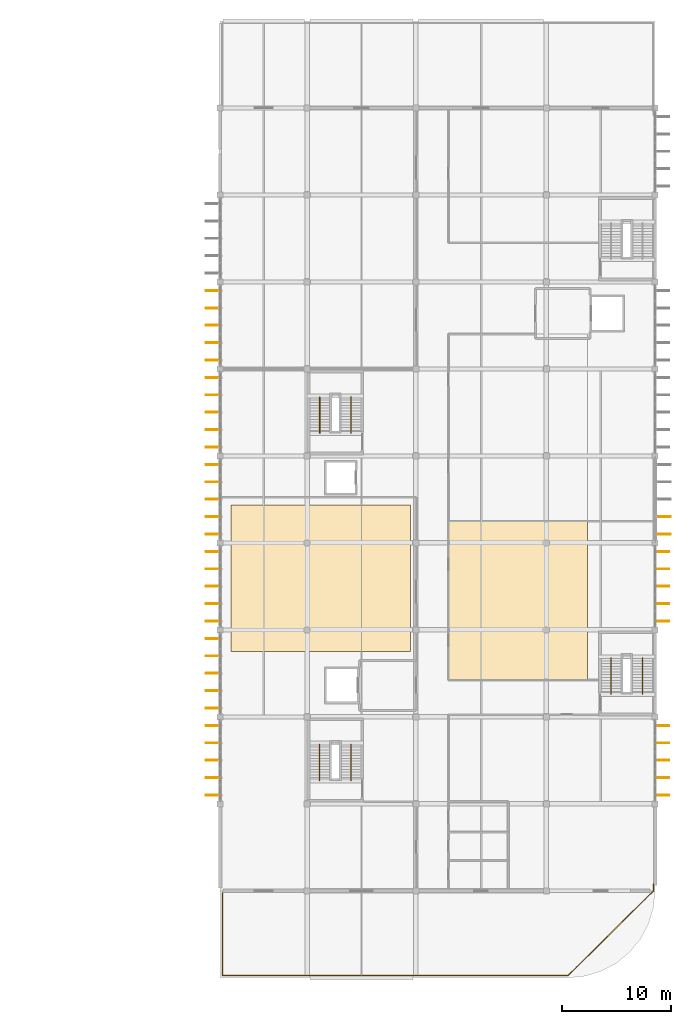
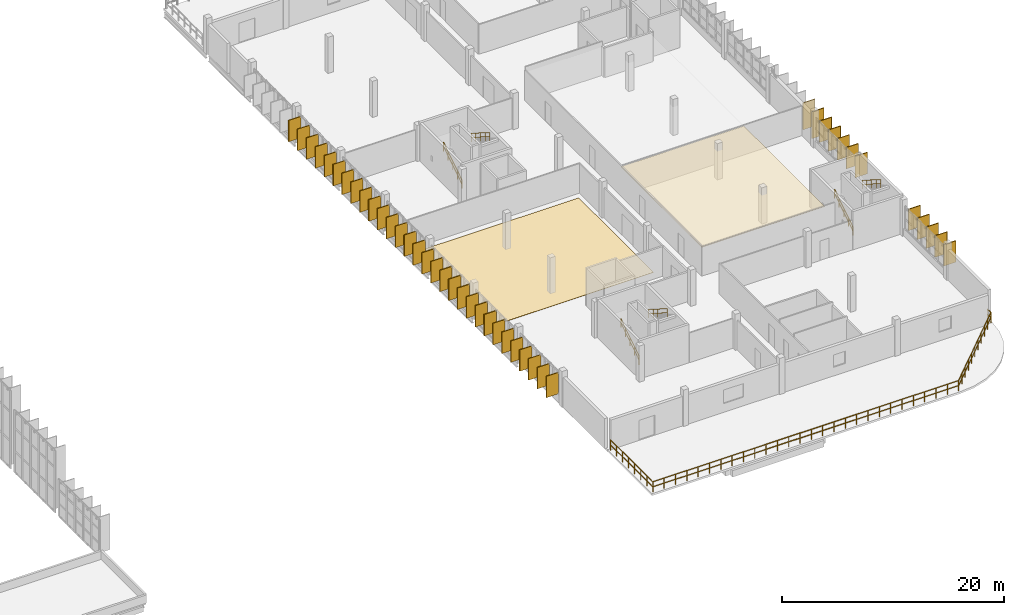
# One storey, part 37 of 38: 43 coverings, 42 shading devices, 10 railings.
"""IFC4 building model written with IfcOpenShell, lengths in metres."""

from ifc_helpers import new_model, si_unit, direction, frame, origin, origin_2d, place, context, subcontext, project, spatial, polyline, rectangle, circle, outline, extrude, material, layer, layer_set, type_object, element, save


model = new_model("IFC4")

# Units and contexts
model_context = context("Model", 3, precision=1e-05, world=origin(), true_north=direction((0.0, 1.0)))
body_context = subcontext(model_context, "Body", "Model", "MODEL_VIEW")
ifc_project = project(units=[si_unit("LENGTHUNIT", "METRE"), si_unit("AREAUNIT", "SQUARE_METRE"), si_unit("VOLUMEUNIT", "CUBIC_METRE"), si_unit("PLANEANGLEUNIT", "RADIAN"), si_unit("MASSUNIT", "GRAM", prefix="KILO")], contexts=[model_context])

# Site, building, storey
site_placement = place(None, origin())
site = spatial("IfcSite", under=ifc_project, at=site_placement, CompositionType="ELEMENT")
building_placement = place(site_placement, origin())
building = spatial("IfcBuilding", under=site, at=building_placement, Name="Drelvana Railside Aquatics Centre", CompositionType="ELEMENT")
storey_placement = place(building_placement, frame((0.0, 0.0, 14.39990234375)))
storey = spatial("IfcBuildingStorey", under=building, at=storey_placement, Name="L03", CompositionType="ELEMENT", Elevation=14.39990234375)

# Coverings
ifc_material_1 = material(Name="Moisture-resistant perforated acoustic timber ceiling", Category="wood")
ifc_layer_1 = layer(ifc_material_1, 0.034912109375, Name="Moisture-resistant perforated acoustic timber ceiling")
ifc_layer_set_1 = layer_set([ifc_layer_1], Name="Moisture-resistant perforated acoustic timber ceiling")
covering_type_1 = type_object("IfcCoveringType", Name="COV-CEIL-ACOUSTIC", PredefinedType="CEILING", material=ifc_layer_set_1)
covering_1_placement = place(storey_placement, frame((0.0, 0.0, 3.10009765625)))
element("IfcCovering", 1, at=covering_1_placement, inside=storey, type_object=covering_type_1, Name="Seminar Room 1 acoustic baffle ceiling", PredefinedType="CEILING", context=body_context, shape_type="SweptSolid", body=[
    extrude(outline(polyline([(165.0, 35.39990234375), (177.800048828125, 35.39990234375), (177.800048828125, 50.0), (165.0, 50.0), (165.0, 35.39990234375)])), origin(), (0.0, 0.0, 1.0), 0.034912109375),
])
ifc_material_2 = material(Name="Bronze-anodised extruded aluminium 6063-T6", Category="aluminium")
covering_type_2 = type_object("IfcCoveringType", Name="COV-FIN-ALU", PredefinedType="CLADDING", material=ifc_material_2)
for number, where, z_axis, x_axis, name in (
    (2, (143.330078125, 24.800048828125, 0.85009765625), (0.0, 0.0, 1.0), (0.0, 1.0, 0.0), "Vertical aluminium fin cladding CF-0556"),
    (3, (143.330078125, 26.39990234375, 0.85009765625), (0.0, 0.0, 1.0), (0.0, 1.0, 0.0), "Vertical aluminium fin cladding CF-0557"),
    (4, (143.330078125, 28.0, 0.85009765625), (0.0, 0.0, 1.0), (0.0, 1.0, 0.0), "Vertical aluminium fin cladding CF-0558"),
    (5, (143.330078125, 29.60009765625, 0.85009765625), (0.0, 0.0, 1.0), (0.0, 1.0, 0.0), "Vertical aluminium fin cladding CF-0559"),
    (6, (143.330078125, 31.199951171875, 0.85009765625), (0.0, 0.0, 1.0), (0.0, 1.0, 0.0), "Vertical aluminium fin cladding CF-0560"),
    (7, (143.330078125, 32.800048828125, 0.85009765625), (0.0, 0.0, 1.0), (0.0, 1.0, 0.0), "Vertical aluminium fin cladding CF-0576"),
    (8, (143.330078125, 34.39990234375, 0.85009765625), (0.0, 0.0, 1.0), (0.0, 1.0, 0.0), "Vertical aluminium fin cladding CF-0577"),
    (9, (143.330078125, 36.0, 0.85009765625), (0.0, 0.0, 1.0), (0.0, 1.0, 0.0), "Vertical aluminium fin cladding CF-0578"),
    (10, (143.330078125, 37.60009765625, 0.85009765625), (0.0, 0.0, 1.0), (0.0, 1.0, 0.0), "Vertical aluminium fin cladding CF-0579"),
    (11, (143.330078125, 39.199951171875, 0.85009765625), (0.0, 0.0, 1.0), (0.0, 1.0, 0.0), "Vertical aluminium fin cladding CF-0580"),
    (12, (143.330078125, 40.800048828125, 0.85009765625), (0.0, 0.0, 1.0), (0.0, 1.0, 0.0), "Vertical aluminium fin cladding CF-0596"),
    (13, (143.330078125, 42.39990234375, 0.85009765625), (0.0, 0.0, 1.0), (0.0, 1.0, 0.0), "Vertical aluminium fin cladding CF-0597"),
    (14, (143.330078125, 44.0, 0.85009765625), (0.0, 0.0, 1.0), (0.0, 1.0, 0.0), "Vertical aluminium fin cladding CF-0598"),
    (15, (143.330078125, 45.60009765625, 0.85009765625), (0.0, 0.0, 1.0), (0.0, 1.0, 0.0), "Vertical aluminium fin cladding CF-0599"),
    (16, (143.330078125, 47.199951171875, 0.85009765625), (0.0, 0.0, 1.0), (0.0, 1.0, 0.0), "Vertical aluminium fin cladding CF-0600"),
    (17, (143.330078125, 48.800048828125, 0.85009765625), (0.0, 0.0, 1.0), (0.0, 1.0, 0.0), "Vertical aluminium fin cladding CF-0616"),
    (18, (143.330078125, 50.39990234375, 0.85009765625), (0.0, 0.0, 1.0), (0.0, 1.0, 0.0), "Vertical aluminium fin cladding CF-0617"),
    (19, (143.330078125, 52.0, 0.85009765625), (0.0, 0.0, 1.0), (0.0, 1.0, 0.0), "Vertical aluminium fin cladding CF-0618"),
    (20, (143.330078125, 53.60009765625, 0.85009765625), (0.0, 0.0, 1.0), (0.0, 1.0, 0.0), "Vertical aluminium fin cladding CF-0619"),
    (21, (143.330078125, 55.199951171875, 0.85009765625), (0.0, 0.0, 1.0), (0.0, 1.0, 0.0), "Vertical aluminium fin cladding CF-0620"),
    (22, (143.330078125, 56.800048828125, 0.85009765625), (0.0, 0.0, 1.0), (0.0, 1.0, 0.0), "Vertical aluminium fin cladding CF-0631"),
    (23, (143.330078125, 58.39990234375, 0.85009765625), (0.0, 0.0, 1.0), (0.0, 1.0, 0.0), "Vertical aluminium fin cladding CF-0632"),
    (24, (143.330078125, 60.0, 0.85009765625), (0.0, 0.0, 1.0), (0.0, 1.0, 0.0), "Vertical aluminium fin cladding CF-0633"),
    (25, (143.330078125, 61.60009765625, 0.85009765625), (0.0, 0.0, 1.0), (0.0, 1.0, 0.0), "Vertical aluminium fin cladding CF-0634"),
    (26, (143.330078125, 63.199951171875, 0.85009765625), (0.0, 0.0, 1.0), (0.0, 1.0, 0.0), "Vertical aluminium fin cladding CF-0635"),
    (27, (143.330078125, 64.800048828125, 0.85009765625), (0.0, 0.0, 1.0), (0.0, 1.0, 0.0), "Vertical aluminium fin cladding CF-0651"),
    (28, (143.330078125, 66.39990234375, 0.85009765625), (0.0, 0.0, 1.0), (0.0, 1.0, 0.0), "Vertical aluminium fin cladding CF-0652"),
    (29, (143.330078125, 68.0, 0.85009765625), (0.0, 0.0, 1.0), (0.0, 1.0, 0.0), "Vertical aluminium fin cladding CF-0653"),
    (30, (143.330078125, 69.60009765625, 0.85009765625), (0.0, 0.0, 1.0), (0.0, 1.0, 0.0), "Vertical aluminium fin cladding CF-0654"),
    (31, (143.330078125, 71.199951171875, 0.85009765625), (0.0, 0.0, 1.0), (0.0, 1.0, 0.0), "Vertical aluminium fin cladding CF-0655"),
    (32, (184.669921875, 24.800048828125, 0.85009765625), (0.0, 0.0, 1.0), (0.0, -1.0, 0.0), "Vertical aluminium fin cladding CF-0691"),
    (33, (184.669921875, 26.39990234375, 0.85009765625), (0.0, 0.0, 1.0), (0.0, -1.0, 0.0), "Vertical aluminium fin cladding CF-0692"),
    (34, (184.669921875, 28.0, 0.85009765625), (0.0, 0.0, 1.0), (0.0, -1.0, 0.0), "Vertical aluminium fin cladding CF-0693"),
    (35, (184.669921875, 29.60009765625, 0.85009765625), (0.0, 0.0, 1.0), (0.0, -1.0, 0.0), "Vertical aluminium fin cladding CF-0694"),
    (36, (184.669921875, 31.199951171875, 0.85009765625), (0.0, 0.0, 1.0), (0.0, -1.0, 0.0), "Vertical aluminium fin cladding CF-0695"),
    (37, (184.669921875, 40.800048828125, 0.85009765625), (0.0, 0.0, 1.0), (0.0, -1.0, 0.0), "Vertical aluminium fin cladding CF-0716"),
    (38, (184.669921875, 42.39990234375, 0.85009765625), (0.0, 0.0, 1.0), (0.0, -1.0, 0.0), "Vertical aluminium fin cladding CF-0717"),
    (39, (184.669921875, 44.0, 0.85009765625), (0.0, 0.0, 1.0), (0.0, -1.0, 0.0), "Vertical aluminium fin cladding CF-0718"),
    (40, (184.669921875, 45.60009765625, 0.85009765625), (0.0, 0.0, 1.0), (0.0, -1.0, 0.0), "Vertical aluminium fin cladding CF-0719"),
    (41, (184.669921875, 47.199951171875, 0.85009765625), (0.0, 0.0, 1.0), (0.0, -1.0, 0.0), "Vertical aluminium fin cladding CF-0720"),
):
    element("IfcCovering", number, at=place(storey_placement, frame(where, z_axis=z_axis, x_axis=x_axis)), inside=storey, type_object=covering_type_2, Name=name, PredefinedType="CLADDING", context=body_context, shape_type="SweptSolid", body=[
        extrude(rectangle(XDim=0.0849609375, YDim=1.25, at=origin_2d()), origin(), (0.0, 0.0, 1.0), 2.35009765625),
    ])
covering_2_placement = place(storey_placement, frame((184.77490234375, 48.800048828125, 0.25), z_axis=(0.0, 0.0, 1.0), x_axis=(0.0, -1.0, 0.0)))
element("IfcCovering", 42, at=covering_2_placement, inside=storey, type_object=covering_type_2, Name="Vertical aluminium fin cladding CF-0741", PredefinedType="CLADDING", context=body_context, shape_type="SweptSolid", body=[
    extrude(rectangle(XDim=0.0849609375, YDim=1.25, at=origin_2d()), origin(), (0.0, 0.0, 1.0), 2.949951171875),
])
ifc_material_3 = material(Name="Slip-resistant vitrified ceramic pool deck tile", Category="masonry")
ifc_layer_2 = layer(ifc_material_3, 0.02490234375, Name="Slip-resistant vitrified ceramic pool deck tile")
ifc_layer_set_2 = layer_set([ifc_layer_2], Name="Slip-resistant vitrified ceramic pool deck tile")
covering_type_3 = type_object("IfcCoveringType", Name="COV-FLOR-ANTISLIP", PredefinedType="FLOORING", material=ifc_layer_set_2)
covering_3_placement = place(storey_placement, origin())
element("IfcCovering", 43, at=covering_3_placement, inside=storey, type_object=covering_type_3, Name="Sports Nutrition Dining porcelain flooring", PredefinedType="FLOORING", context=body_context, shape_type="SweptSolid", body=[
    extrude(outline(polyline([(145.0, 38.0), (161.5, 38.0), (161.5, 51.5), (145.0, 51.5), (145.0, 38.0)])), origin(), (0.0, 0.0, 1.0), 0.025146484375),
])

# Railings
ifc_material_4 = material(Name="Bronze-anodised stainless steel balustrade", Category="steel")
railing_type_1 = type_object("IfcRailingType", Name="RAL-GUARD-TER-1100", PredefinedType="GUARDRAIL", material=ifc_material_4)
railing_1_placement = place(storey_placement, frame((144.199951171875, 8.199951171875, 0.0)))
element("IfcRailing", 44, at=railing_1_placement, inside=storey, type_object=railing_type_1, Name="L03 terrace perimeter guard rail 4", PredefinedType="GUARDRAIL", context=body_context, shape_type="SweptSolid", body=[
    extrude(circle(Radius=0.02392578125, at=origin_2d()), frame((0.0, 0.0, 1.1259765625), z_axis=(1.0, 0.0, 0.0), x_axis=(0.0, 1.0, 0.0)), (0.0, 0.0, 1.0), 31.800048828125),
    extrude(circle(Radius=0.02392578125, at=origin_2d()), frame((0.0, 0.0, 0.574951171875), z_axis=(1.0, 0.0, 0.0), x_axis=(0.0, 1.0, 0.0)), (0.0, 0.0, 1.0), 31.800048828125),
    extrude(circle(Radius=0.02099609375, at=origin_2d()), origin(), (0.0, 0.0, 1.0), 1.101806640625),
    extrude(circle(Radius=0.02099609375, at=origin_2d()), frame((1.177734375, 0.0, 0.0)), (0.0, 0.0, 1.0), 1.101806640625),
    extrude(circle(Radius=0.02099609375, at=origin_2d()), frame((2.35546875, 0.0, 0.0)), (0.0, 0.0, 1.0), 1.101806640625),
    extrude(circle(Radius=0.02099609375, at=origin_2d()), frame((3.533447265625, 0.0, 0.0)), (0.0, 0.0, 1.0), 1.101806640625),
    extrude(circle(Radius=0.02099609375, at=origin_2d()), frame((4.711181640625, 0.0, 0.0)), (0.0, 0.0, 1.0), 1.101806640625),
    extrude(circle(Radius=0.02099609375, at=origin_2d()), frame((5.888916015625, 0.0, 0.0)), (0.0, 0.0, 1.0), 1.101806640625),
    extrude(circle(Radius=0.02099609375, at=origin_2d()), frame((7.066650390625, 0.0, 0.0)), (0.0, 0.0, 1.0), 1.101806640625),
    extrude(circle(Radius=0.02099609375, at=origin_2d()), frame((8.244384765625, 0.0, 0.0)), (0.0, 0.0, 1.0), 1.101806640625),
    extrude(circle(Radius=0.02099609375, at=origin_2d()), frame((9.422119140625, 0.0, 0.0)), (0.0, 0.0, 1.0), 1.101806640625),
    extrude(circle(Radius=0.02099609375, at=origin_2d()), frame((10.60009765625, 0.0, 0.0)), (0.0, 0.0, 1.0), 1.101806640625),
    extrude(circle(Radius=0.02099609375, at=origin_2d()), frame((11.77783203125, 0.0, 0.0)), (0.0, 0.0, 1.0), 1.101806640625),
    extrude(circle(Radius=0.02099609375, at=origin_2d()), frame((12.95556640625, 0.0, 0.0)), (0.0, 0.0, 1.0), 1.101806640625),
    extrude(circle(Radius=0.02099609375, at=origin_2d()), frame((14.13330078125, 0.0, 0.0)), (0.0, 0.0, 1.0), 1.101806640625),
    extrude(circle(Radius=0.02099609375, at=origin_2d()), frame((15.31103515625, 0.0, 0.0)), (0.0, 0.0, 1.0), 1.101806640625),
    extrude(circle(Radius=0.02099609375, at=origin_2d()), frame((16.489013671875, 0.0, 0.0)), (0.0, 0.0, 1.0), 1.101806640625),
    extrude(circle(Radius=0.02099609375, at=origin_2d()), frame((17.666748046875, 0.0, 0.0)), (0.0, 0.0, 1.0), 1.101806640625),
    extrude(circle(Radius=0.02099609375, at=origin_2d()), frame((18.844482421875, 0.0, 0.0)), (0.0, 0.0, 1.0), 1.101806640625),
    extrude(circle(Radius=0.02099609375, at=origin_2d()), frame((20.022216796875, 0.0, 0.0)), (0.0, 0.0, 1.0), 1.101806640625),
    extrude(circle(Radius=0.02099609375, at=origin_2d()), frame((21.199951171875, 0.0, 0.0)), (0.0, 0.0, 1.0), 1.101806640625),
    extrude(circle(Radius=0.02099609375, at=origin_2d()), frame((22.3779296875, 0.0, 0.0)), (0.0, 0.0, 1.0), 1.101806640625),
    extrude(circle(Radius=0.02099609375, at=origin_2d()), frame((23.5556640625, 0.0, 0.0)), (0.0, 0.0, 1.0), 1.101806640625),
    extrude(circle(Radius=0.02099609375, at=origin_2d()), frame((24.7333984375, 0.0, 0.0)), (0.0, 0.0, 1.0), 1.101806640625),
    extrude(circle(Radius=0.02099609375, at=origin_2d()), frame((25.9111328125, 0.0, 0.0)), (0.0, 0.0, 1.0), 1.101806640625),
    extrude(circle(Radius=0.02099609375, at=origin_2d()), frame((27.0888671875, 0.0, 0.0)), (0.0, 0.0, 1.0), 1.101806640625),
    extrude(circle(Radius=0.02099609375, at=origin_2d()), frame((28.2666015625, 0.0, 0.0)), (0.0, 0.0, 1.0), 1.101806640625),
    extrude(circle(Radius=0.02099609375, at=origin_2d()), frame((29.444580078125, 0.0, 0.0)), (0.0, 0.0, 1.0), 1.101806640625),
    extrude(circle(Radius=0.02099609375, at=origin_2d()), frame((30.622314453125, 0.0, 0.0)), (0.0, 0.0, 1.0), 1.101806640625),
    extrude(circle(Radius=0.02099609375, at=origin_2d()), frame((31.800048828125, 0.0, 0.0)), (0.0, 0.0, 1.0), 1.101806640625),
])
railing_2_placement = place(storey_placement, frame((144.199951171875, 8.199951171875, 0.0)))
element("IfcRailing", 45, at=railing_2_placement, inside=storey, type_object=railing_type_1, Name="L03 terrace perimeter guard rail 5", PredefinedType="GUARDRAIL", context=body_context, shape_type="SweptSolid", body=[
    extrude(circle(Radius=0.02392578125, at=origin_2d()), frame((0.0, 0.0, 1.1259765625), z_axis=(0.0, 1.0, 0.0), x_axis=(-1.0, 0.0, 0.0)), (0.0, 0.0, 1.0), 7.60009765625),
    extrude(circle(Radius=0.02392578125, at=origin_2d()), frame((0.0, 0.0, 0.574951171875), z_axis=(0.0, 1.0, 0.0), x_axis=(-1.0, 0.0, 0.0)), (0.0, 0.0, 1.0), 7.60009765625),
    extrude(circle(Radius=0.02099609375, at=origin_2d()), origin(), (0.0, 0.0, 1.0), 1.101806640625),
    extrude(circle(Radius=0.02099609375, at=origin_2d()), frame((0.0, 1.085693359375, 0.0)), (0.0, 0.0, 1.0), 1.101806640625),
    extrude(circle(Radius=0.02099609375, at=origin_2d()), frame((0.0, 2.17138671875, 0.0)), (0.0, 0.0, 1.0), 1.101806640625),
    extrude(circle(Radius=0.02099609375, at=origin_2d()), frame((0.0, 3.257080078125, 0.0)), (0.0, 0.0, 1.0), 1.101806640625),
    extrude(circle(Radius=0.02099609375, at=origin_2d()), frame((0.0, 4.343017578125, 0.0)), (0.0, 0.0, 1.0), 1.101806640625),
    extrude(circle(Radius=0.02099609375, at=origin_2d()), frame((0.0, 5.4287109375, 0.0)), (0.0, 0.0, 1.0), 1.101806640625),
    extrude(circle(Radius=0.02099609375, at=origin_2d()), frame((0.0, 6.514404296875, 0.0)), (0.0, 0.0, 1.0), 1.101806640625),
    extrude(circle(Radius=0.02099609375, at=origin_2d()), frame((0.0, 7.60009765625, 0.0)), (0.0, 0.0, 1.0), 1.101806640625),
])
railing_3_placement = place(storey_placement, frame((176.0, 8.199951171875, 0.0)))
element("IfcRailing", 46, at=railing_3_placement, inside=storey, type_object=railing_type_1, Name="L03 terrace perimeter guard rail 6", PredefinedType="GUARDRAIL", context=body_context, shape_type="SweptSolid", body=[
    extrude(circle(Radius=0.02392578125, at=origin_2d()), frame((0.0, 0.0, 1.1259765625), z_axis=(0.709364465947, 0.704841864855, 0.0), x_axis=(-0.704841864855, 0.709364465947, 0.0)), (0.0, 0.0, 1.0), 11.06640625),
    extrude(circle(Radius=0.02392578125, at=origin_2d()), frame((0.0, 0.0, 0.574951171875), z_axis=(0.709364465947, 0.704841864855, 0.0), x_axis=(-0.704841864855, 0.709364465947, 0.0)), (0.0, 0.0, 1.0), 11.06640625),
    extrude(circle(Radius=0.02099609375, at=origin_2d()), origin(), (0.0, 0.0, 1.0), 1.101806640625),
    extrude(circle(Radius=0.02099609375, at=origin_2d()), frame((0.784912109375, 0.780029296875, 0.0)), (0.0, 0.0, 1.0), 1.101806640625),
    extrude(circle(Radius=0.02099609375, at=origin_2d()), frame((1.570068359375, 1.56005859375, 0.0)), (0.0, 0.0, 1.0), 1.101806640625),
    extrude(circle(Radius=0.02099609375, at=origin_2d()), frame((2.35498046875, 2.340087890625, 0.0)), (0.0, 0.0, 1.0), 1.101806640625),
    extrude(circle(Radius=0.02099609375, at=origin_2d()), frame((3.14013671875, 3.1201171875, 0.0)), (0.0, 0.0, 1.0), 1.101806640625),
    extrude(circle(Radius=0.02099609375, at=origin_2d()), frame((3.925048828125, 3.89990234375, 0.0)), (0.0, 0.0, 1.0), 1.101806640625),
    extrude(circle(Radius=0.02099609375, at=origin_2d()), frame((4.7099609375, 4.679931640625, 0.0)), (0.0, 0.0, 1.0), 1.101806640625),
    extrude(circle(Radius=0.02099609375, at=origin_2d()), frame((5.4951171875, 5.4599609375, 0.0)), (0.0, 0.0, 1.0), 1.101806640625),
    extrude(circle(Radius=0.02099609375, at=origin_2d()), frame((6.280029296875, 6.239990234375, 0.0)), (0.0, 0.0, 1.0), 1.101806640625),
    extrude(circle(Radius=0.02099609375, at=origin_2d()), frame((7.065185546875, 7.02001953125, 0.0)), (0.0, 0.0, 1.0), 1.101806640625),
    extrude(circle(Radius=0.02099609375, at=origin_2d()), frame((7.85009765625, 7.800048828125, 0.0)), (0.0, 0.0, 1.0), 1.101806640625),
])
railing_4_placement = place(storey_placement, frame((183.85009765625, 16.0, 0.0)))
element("IfcRailing", 47, at=railing_4_placement, inside=storey, type_object=railing_type_1, Name="L03 terrace perimeter guard rail 7", PredefinedType="GUARDRAIL", context=body_context, shape_type="SweptSolid", body=[
    extrude(circle(Radius=0.02392578125, at=origin_2d()), frame((0.0, 0.0, 1.1259765625), z_axis=(0.0, 1.0, 0.0), x_axis=(-1.0, 0.0, 0.0)), (0.0, 0.0, 1.0), 0.64990234375),
    extrude(circle(Radius=0.02392578125, at=origin_2d()), frame((0.0, 0.0, 0.574951171875), z_axis=(0.0, 1.0, 0.0), x_axis=(-1.0, 0.0, 0.0)), (0.0, 0.0, 1.0), 0.64990234375),
    extrude(circle(Radius=0.02099609375, at=origin_2d()), origin(), (0.0, 0.0, 1.0), 1.101806640625),
    extrude(circle(Radius=0.02099609375, at=origin_2d()), frame((0.0, 0.64990234375, 0.0)), (0.0, 0.0, 1.0), 1.101806640625),
])
ifc_material_5 = material(Name="Brushed stainless steel stair pitch handrail", Category="steel")
railing_type_2 = type_object("IfcRailingType", Name="RAL-HANDRAIL-950", PredefinedType="HANDRAIL", material=ifc_material_5)
railing_5_placement = place(storey_placement, frame((153.14990234375, 26.14990234375, 0.0)))
element("IfcRailing", 48, at=railing_5_placement, inside=storey, type_object=railing_type_2, Name="Stair ST-06 flight 1 handrail (L03)", PredefinedType="HANDRAIL", context=body_context, shape_type="SweptSolid", body=[
    extrude(circle(Radius=0.02392578125, at=origin_2d()), frame((0.0, 0.0, 0.92578125), z_axis=(0.0, 0.844763766854, 0.535139400727), x_axis=(-1.0, 0.0, 0.0)), (0.0, 0.0, 1.0), 3.92431640625),
    extrude(circle(Radius=0.02392578125, at=origin_2d()), frame((0.0, 0.0, 0.47509765625), z_axis=(0.0, 0.844763766854, 0.535139400727), x_axis=(-1.0, 0.0, 0.0)), (0.0, 0.0, 1.0), 3.92431640625),
    extrude(circle(Radius=0.02099609375, at=origin_2d()), origin(), (0.0, 0.0, 1.0), 0.90185546875),
    extrude(circle(Radius=0.02099609375, at=origin_2d()), frame((0.0, 0.828857421875, 0.52490234375)), (0.0, 0.0, 1.0), 0.90185546875),
    extrude(circle(Radius=0.02099609375, at=origin_2d()), frame((0.0, 1.65771484375, 1.050048828125)), (0.0, 0.0, 1.0), 0.90185546875),
    extrude(circle(Radius=0.02099609375, at=origin_2d()), frame((0.0, 2.486328125, 1.5751953125)), (0.0, 0.0, 1.0), 0.90185546875),
    extrude(circle(Radius=0.02099609375, at=origin_2d()), frame((0.0, 3.315185546875, 2.10009765625)), (0.0, 0.0, 1.0), 0.90185546875),
])
railing_6_placement = place(storey_placement, frame((156.050048828125, 29.465087890625, 2.10009765625)))
element("IfcRailing", 49, at=railing_6_placement, inside=storey, type_object=railing_type_2, Name="Stair ST-06 flight 2 handrail (L03)", PredefinedType="HANDRAIL", context=body_context, shape_type="SweptSolid", body=[
    extrude(circle(Radius=0.02392578125, at=origin_2d()), frame((0.0, 0.0, 0.92578125), z_axis=(0.0, -0.844763766854, 0.535139400727), x_axis=(1.0, 0.0, 0.0)), (0.0, 0.0, 1.0), 3.92431640625),
    extrude(circle(Radius=0.02392578125, at=origin_2d()), frame((0.0, 0.0, 0.47509765625), z_axis=(0.0, -0.844763766854, 0.535139400727), x_axis=(1.0, 0.0, 0.0)), (0.0, 0.0, 1.0), 3.92431640625),
    extrude(circle(Radius=0.02099609375, at=origin_2d()), origin(), (0.0, 0.0, 1.0), 0.90185546875),
    extrude(circle(Radius=0.02099609375, at=origin_2d()), frame((0.0, -0.828857421875, 0.52490234375)), (0.0, 0.0, 1.0), 0.90185546875),
    extrude(circle(Radius=0.02099609375, at=origin_2d()), frame((0.0, -1.65771484375, 1.050048828125)), (0.0, 0.0, 1.0), 0.90185546875),
    extrude(circle(Radius=0.02099609375, at=origin_2d()), frame((0.0, -2.486328125, 1.5751953125)), (0.0, 0.0, 1.0), 0.90185546875),
    extrude(circle(Radius=0.02099609375, at=origin_2d()), frame((0.0, -3.315185546875, 2.10009765625)), (0.0, 0.0, 1.0), 0.90185546875),
])
railing_7_placement = place(storey_placement, frame((153.159912109375, 58.090087890625, 0.0)))
element("IfcRailing", 50, at=railing_7_placement, inside=storey, type_object=railing_type_2, Name="Stair ST-08 flight 1 handrail (L03)", PredefinedType="HANDRAIL", context=body_context, shape_type="SweptSolid", body=[
    extrude(circle(Radius=0.02392578125, at=origin_2d()), frame((0.0, 0.0, 0.92578125), z_axis=(0.0, 0.844745949813, 0.53516752543), x_axis=(-1.0, 0.0, 0.0)), (0.0, 0.0, 1.0), 3.924072265625),
    extrude(circle(Radius=0.02392578125, at=origin_2d()), frame((0.0, 0.0, 0.47509765625), z_axis=(0.0, 0.844745949813, 0.53516752543), x_axis=(-1.0, 0.0, 0.0)), (0.0, 0.0, 1.0), 3.924072265625),
    extrude(circle(Radius=0.02099609375, at=origin_2d()), origin(), (0.0, 0.0, 1.0), 0.90185546875),
    extrude(circle(Radius=0.02099609375, at=origin_2d()), frame((0.0, 0.82861328125, 0.52490234375)), (0.0, 0.0, 1.0), 0.90185546875),
    extrude(circle(Radius=0.02099609375, at=origin_2d()), frame((0.0, 1.657470703125, 1.050048828125)), (0.0, 0.0, 1.0), 0.90185546875),
    extrude(circle(Radius=0.02099609375, at=origin_2d()), frame((0.0, 2.486328125, 1.5751953125)), (0.0, 0.0, 1.0), 0.90185546875),
    extrude(circle(Radius=0.02099609375, at=origin_2d()), frame((0.0, 3.31494140625, 2.10009765625)), (0.0, 0.0, 1.0), 0.90185546875),
])
railing_8_placement = place(storey_placement, frame((156.0400390625, 61.405029296875, 2.10009765625)))
element("IfcRailing", 51, at=railing_8_placement, inside=storey, type_object=railing_type_2, Name="Stair ST-08 flight 2 handrail (L03)", PredefinedType="HANDRAIL", context=body_context, shape_type="SweptSolid", body=[
    extrude(circle(Radius=0.02392578125, at=origin_2d()), frame((0.0, 0.0, 0.92578125), z_axis=(0.0, -0.844745949813, 0.53516752543), x_axis=(1.0, 0.0, 0.0)), (0.0, 0.0, 1.0), 3.924072265625),
    extrude(circle(Radius=0.02392578125, at=origin_2d()), frame((0.0, 0.0, 0.47509765625), z_axis=(0.0, -0.844745949813, 0.53516752543), x_axis=(1.0, 0.0, 0.0)), (0.0, 0.0, 1.0), 3.924072265625),
    extrude(circle(Radius=0.02099609375, at=origin_2d()), origin(), (0.0, 0.0, 1.0), 0.90185546875),
    extrude(circle(Radius=0.02099609375, at=origin_2d()), frame((0.0, -0.82861328125, 0.52490234375)), (0.0, 0.0, 1.0), 0.90185546875),
    extrude(circle(Radius=0.02099609375, at=origin_2d()), frame((0.0, -1.657470703125, 1.050048828125)), (0.0, 0.0, 1.0), 0.90185546875),
    extrude(circle(Radius=0.02099609375, at=origin_2d()), frame((0.0, -2.486328125, 1.5751953125)), (0.0, 0.0, 1.0), 0.90185546875),
    extrude(circle(Radius=0.02099609375, at=origin_2d()), frame((0.0, -3.31494140625, 2.10009765625)), (0.0, 0.0, 1.0), 0.90185546875),
])
railing_9_placement = place(storey_placement, frame((179.9599609375, 34.090087890625, 0.0)))
element("IfcRailing", 52, at=railing_9_placement, inside=storey, type_object=railing_type_2, Name="Stair ST-09 flight 1 handrail (L03)", PredefinedType="HANDRAIL", context=body_context, shape_type="SweptSolid", body=[
    extrude(circle(Radius=0.02392578125, at=origin_2d()), frame((0.0, 0.0, 0.92578125), z_axis=(0.0, 0.844745949813, 0.53516752543), x_axis=(-1.0, 0.0, 0.0)), (0.0, 0.0, 1.0), 3.924072265625),
    extrude(circle(Radius=0.02392578125, at=origin_2d()), frame((0.0, 0.0, 0.47509765625), z_axis=(0.0, 0.844745949813, 0.53516752543), x_axis=(-1.0, 0.0, 0.0)), (0.0, 0.0, 1.0), 3.924072265625),
    extrude(circle(Radius=0.02099609375, at=origin_2d()), origin(), (0.0, 0.0, 1.0), 0.90185546875),
    extrude(circle(Radius=0.02099609375, at=origin_2d()), frame((0.0, 0.82861328125, 0.52490234375)), (0.0, 0.0, 1.0), 0.90185546875),
    extrude(circle(Radius=0.02099609375, at=origin_2d()), frame((0.0, 1.657470703125, 1.050048828125)), (0.0, 0.0, 1.0), 0.90185546875),
    extrude(circle(Radius=0.02099609375, at=origin_2d()), frame((0.0, 2.486328125, 1.5751953125)), (0.0, 0.0, 1.0), 0.90185546875),
    extrude(circle(Radius=0.02099609375, at=origin_2d()), frame((0.0, 3.31494140625, 2.10009765625)), (0.0, 0.0, 1.0), 0.90185546875),
])
railing_10_placement = place(storey_placement, frame((182.840087890625, 37.405029296875, 2.10009765625)))
element("IfcRailing", 53, at=railing_10_placement, inside=storey, type_object=railing_type_2, Name="Stair ST-09 flight 2 handrail (L03)", PredefinedType="HANDRAIL", context=body_context, shape_type="SweptSolid", body=[
    extrude(circle(Radius=0.02392578125, at=origin_2d()), frame((0.0, 0.0, 0.92578125), z_axis=(0.0, -0.844745949813, 0.53516752543), x_axis=(1.0, 0.0, 0.0)), (0.0, 0.0, 1.0), 3.924072265625),
    extrude(circle(Radius=0.02392578125, at=origin_2d()), frame((0.0, 0.0, 0.47509765625), z_axis=(0.0, -0.844745949813, 0.53516752543), x_axis=(1.0, 0.0, 0.0)), (0.0, 0.0, 1.0), 3.924072265625),
    extrude(circle(Radius=0.02099609375, at=origin_2d()), origin(), (0.0, 0.0, 1.0), 0.90185546875),
    extrude(circle(Radius=0.02099609375, at=origin_2d()), frame((0.0, -0.82861328125, 0.52490234375)), (0.0, 0.0, 1.0), 0.90185546875),
    extrude(circle(Radius=0.02099609375, at=origin_2d()), frame((0.0, -1.657470703125, 1.050048828125)), (0.0, 0.0, 1.0), 0.90185546875),
    extrude(circle(Radius=0.02099609375, at=origin_2d()), frame((0.0, -2.486328125, 1.5751953125)), (0.0, 0.0, 1.0), 0.90185546875),
    extrude(circle(Radius=0.02099609375, at=origin_2d()), frame((0.0, -3.31494140625, 2.10009765625)), (0.0, 0.0, 1.0), 0.90185546875),
])

# Shading devices
shading_device_type = type_object("IfcShadingDeviceType", Name="SHD-FIN-1250", PredefinedType="USERDEFINED", material=ifc_material_2)
for number, where, z_axis, x_axis, name in (
    (54, (143.31005859375, 24.800048828125, 0.85009765625), (0.0, 0.0, 1.0), (-1.0, 0.0, 0.0), "Vertical bronze shading fin FN-0563"),
    (55, (143.31005859375, 26.39990234375, 0.85009765625), (0.0, 0.0, 1.0), (-1.0, 0.0, 0.0), "Vertical bronze shading fin FN-0564"),
    (56, (143.31005859375, 28.0, 0.85009765625), (0.0, 0.0, 1.0), (-1.0, 0.0, 0.0), "Vertical bronze shading fin FN-0565"),
    (57, (143.31005859375, 29.60009765625, 0.85009765625), (0.0, 0.0, 1.0), (-1.0, 0.0, 0.0), "Vertical bronze shading fin FN-0566"),
    (58, (143.31005859375, 31.199951171875, 0.85009765625), (0.0, 0.0, 1.0), (-1.0, 0.0, 0.0), "Vertical bronze shading fin FN-0567"),
    (59, (143.31005859375, 32.800048828125, 0.85009765625), (0.0, 0.0, 1.0), (-1.0, 0.0, 0.0), "Vertical bronze shading fin FN-0583"),
    (60, (143.31005859375, 34.39990234375, 0.85009765625), (0.0, 0.0, 1.0), (-1.0, 0.0, 0.0), "Vertical bronze shading fin FN-0584"),
    (61, (143.31005859375, 36.0, 0.85009765625), (0.0, 0.0, 1.0), (-1.0, 0.0, 0.0), "Vertical bronze shading fin FN-0585"),
    (62, (143.31005859375, 37.60009765625, 0.85009765625), (0.0, 0.0, 1.0), (-1.0, 0.0, 0.0), "Vertical bronze shading fin FN-0586"),
    (63, (143.31005859375, 39.199951171875, 0.85009765625), (0.0, 0.0, 1.0), (-1.0, 0.0, 0.0), "Vertical bronze shading fin FN-0587"),
    (64, (143.31005859375, 40.800048828125, 0.85009765625), (0.0, 0.0, 1.0), (-1.0, 0.0, 0.0), "Vertical bronze shading fin FN-0603"),
    (65, (143.31005859375, 42.39990234375, 0.85009765625), (0.0, 0.0, 1.0), (-1.0, 0.0, 0.0), "Vertical bronze shading fin FN-0604"),
    (66, (143.31005859375, 44.0, 0.85009765625), (0.0, 0.0, 1.0), (-1.0, 0.0, 0.0), "Vertical bronze shading fin FN-0605"),
    (67, (143.31005859375, 45.60009765625, 0.85009765625), (0.0, 0.0, 1.0), (-1.0, 0.0, 0.0), "Vertical bronze shading fin FN-0606"),
    (68, (143.31005859375, 47.199951171875, 0.85009765625), (0.0, 0.0, 1.0), (-1.0, 0.0, 0.0), "Vertical bronze shading fin FN-0607"),
    (69, (143.31005859375, 48.800048828125, 0.85009765625), (0.0, 0.0, 1.0), (-1.0, 0.0, 0.0), "Vertical bronze shading fin FN-0623"),
    (70, (143.31005859375, 50.39990234375, 0.85009765625), (0.0, 0.0, 1.0), (-1.0, 0.0, 0.0), "Vertical bronze shading fin FN-0624"),
    (71, (143.31005859375, 52.0, 0.85009765625), (0.0, 0.0, 1.0), (-1.0, 0.0, 0.0), "Vertical bronze shading fin FN-0625"),
    (72, (143.31005859375, 53.60009765625, 0.85009765625), (0.0, 0.0, 1.0), (-1.0, 0.0, 0.0), "Vertical bronze shading fin FN-0626"),
    (73, (143.31005859375, 55.199951171875, 0.85009765625), (0.0, 0.0, 1.0), (-1.0, 0.0, 0.0), "Vertical bronze shading fin FN-0627"),
    (74, (143.31005859375, 56.800048828125, 0.85009765625), (0.0, 0.0, 1.0), (-1.0, 0.0, 0.0), "Vertical bronze shading fin FN-0638"),
    (75, (143.31005859375, 58.39990234375, 0.85009765625), (0.0, 0.0, 1.0), (-1.0, 0.0, 0.0), "Vertical bronze shading fin FN-0639"),
    (76, (143.31005859375, 60.0, 0.85009765625), (0.0, 0.0, 1.0), (-1.0, 0.0, 0.0), "Vertical bronze shading fin FN-0640"),
    (77, (143.31005859375, 61.60009765625, 0.85009765625), (0.0, 0.0, 1.0), (-1.0, 0.0, 0.0), "Vertical bronze shading fin FN-0641"),
    (78, (143.31005859375, 63.199951171875, 0.85009765625), (0.0, 0.0, 1.0), (-1.0, 0.0, 0.0), "Vertical bronze shading fin FN-0642"),
    (79, (143.31005859375, 64.800048828125, 0.85009765625), (0.0, 0.0, 1.0), (-1.0, 0.0, 0.0), "Vertical bronze shading fin FN-0658"),
    (80, (143.31005859375, 66.39990234375, 0.85009765625), (0.0, 0.0, 1.0), (-1.0, 0.0, 0.0), "Vertical bronze shading fin FN-0659"),
    (81, (143.31005859375, 68.0, 0.85009765625), (0.0, 0.0, 1.0), (-1.0, 0.0, 0.0), "Vertical bronze shading fin FN-0660"),
    (82, (143.31005859375, 69.60009765625, 0.85009765625), (0.0, 0.0, 1.0), (-1.0, 0.0, 0.0), "Vertical bronze shading fin FN-0661"),
    (83, (143.31005859375, 71.199951171875, 0.85009765625), (0.0, 0.0, 1.0), (-1.0, 0.0, 0.0), "Vertical bronze shading fin FN-0662"),
    (84, (184.68994140625, 24.800048828125, 0.85009765625), (0.0, 0.0, 1.0), (1.0, 0.0, 0.0), "Vertical bronze shading fin FN-0698"),
    (85, (184.68994140625, 26.39990234375, 0.85009765625), (0.0, 0.0, 1.0), (1.0, 0.0, 0.0), "Vertical bronze shading fin FN-0699"),
    (86, (184.68994140625, 28.0, 0.85009765625), (0.0, 0.0, 1.0), (1.0, 0.0, 0.0), "Vertical bronze shading fin FN-0700"),
    (87, (184.68994140625, 29.60009765625, 0.85009765625), (0.0, 0.0, 1.0), (1.0, 0.0, 0.0), "Vertical bronze shading fin FN-0701"),
    (88, (184.68994140625, 31.199951171875, 0.85009765625), (0.0, 0.0, 1.0), (1.0, 0.0, 0.0), "Vertical bronze shading fin FN-0702"),
    (89, (184.68994140625, 40.800048828125, 0.85009765625), (0.0, 0.0, 1.0), (1.0, 0.0, 0.0), "Vertical bronze shading fin FN-0723"),
    (90, (184.68994140625, 42.39990234375, 0.85009765625), (0.0, 0.0, 1.0), (1.0, 0.0, 0.0), "Vertical bronze shading fin FN-0724"),
    (91, (184.68994140625, 44.0, 0.85009765625), (0.0, 0.0, 1.0), (1.0, 0.0, 0.0), "Vertical bronze shading fin FN-0725"),
    (92, (184.68994140625, 45.60009765625, 0.85009765625), (0.0, 0.0, 1.0), (1.0, 0.0, 0.0), "Vertical bronze shading fin FN-0726"),
    (93, (184.68994140625, 47.199951171875, 0.85009765625), (0.0, 0.0, 1.0), (1.0, 0.0, 0.0), "Vertical bronze shading fin FN-0727"),
):
    element("IfcShadingDevice", number, at=place(storey_placement, frame(where, z_axis=z_axis, x_axis=x_axis)), inside=storey, type_object=shading_device_type, Name=name, ObjectType="FIN", PredefinedType="USERDEFINED", context=body_context, shape_type="SweptSolid", body=[
        extrude(rectangle(XDim=1.25, YDim=0.06494140625, at=origin_2d()), origin(), (0.0, 0.0, 1.0), 2.35009765625),
    ])
for number, where, z_axis, x_axis, name in (
    (94, (184.794921875, 48.800048828125, 0.25), (0.0, 0.0, 1.0), (1.0, 0.0, 0.0), "Vertical bronze shading fin FN-0748"),
    (95, (184.794921875, 50.39990234375, 0.25), (0.0, 0.0, 1.0), (1.0, 0.0, 0.0), "Vertical bronze shading fin FN-0749"),
):
    element("IfcShadingDevice", number, at=place(storey_placement, frame(where, z_axis=z_axis, x_axis=x_axis)), inside=storey, type_object=shading_device_type, Name=name, ObjectType="FIN", PredefinedType="USERDEFINED", context=body_context, shape_type="SweptSolid", body=[
        extrude(rectangle(XDim=1.25, YDim=0.06494140625, at=origin_2d()), origin(), (0.0, 0.0, 1.0), 2.949951171875),
    ])

save(model, "model.ifc")
